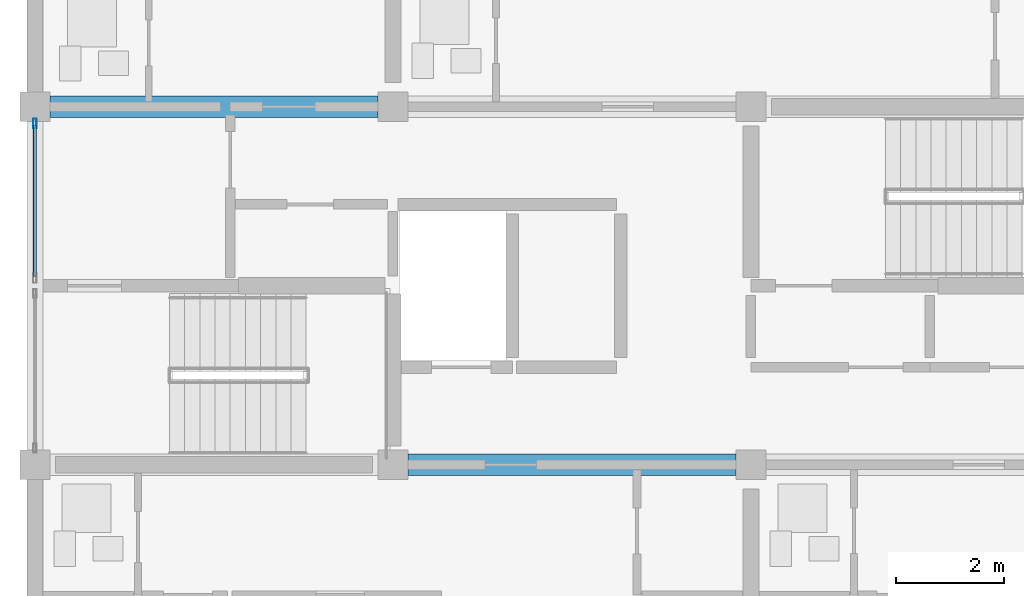
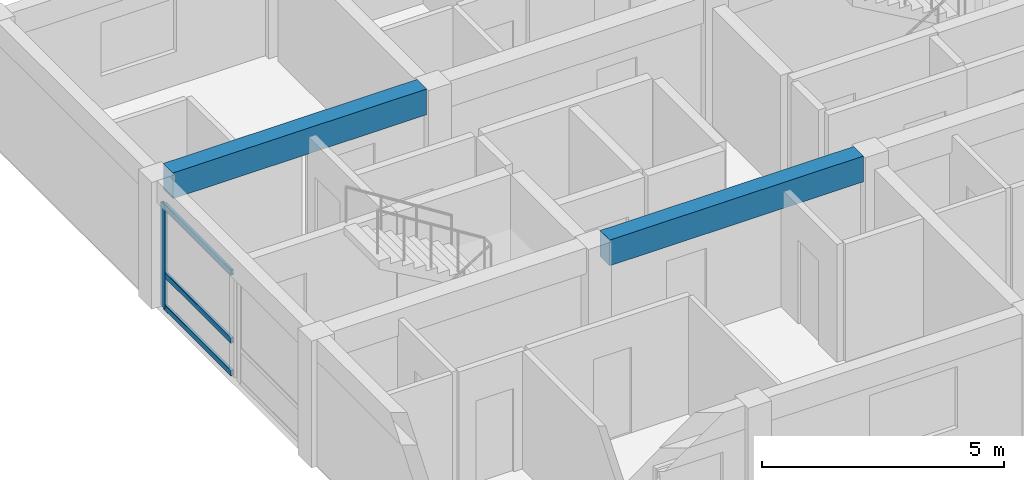
# One storey, part 15 of 49: 4 members, 2 beams, 1 element without a shape of its own.
"""IFC4 building model written with IfcOpenShell, lengths in metres."""

from ifc_helpers import new_model, si_unit, direction, frame, origin, origin_2d, place, context, subcontext, project, spatial, rectangle, hollow_rectangle, extrude, material, material_profile, profile_set, type_object, element, aggregate, save


model = new_model("IFC4")

# Units and contexts
model_context = context("Model", 3, precision=1e-05, world=origin(), true_north=direction((0.0, 1.0)))
body_context = subcontext(model_context, "Body", "Model", "MODEL_VIEW")
ifc_project = project(units=[si_unit("LENGTHUNIT", "METRE"), si_unit("AREAUNIT", "SQUARE_METRE"), si_unit("VOLUMEUNIT", "CUBIC_METRE"), si_unit("PLANEANGLEUNIT", "RADIAN"), si_unit("MASSUNIT", "GRAM", prefix="KILO")], contexts=[model_context])

# Site, building, storey
site_placement = place(None, origin())
site = spatial("IfcSite", under=ifc_project, at=site_placement, CompositionType="ELEMENT")
building_placement = place(site_placement, origin())
building = spatial("IfcBuilding", under=site, at=building_placement, Name="Kernevlak Ridge Housing Community", CompositionType="ELEMENT")
storey_placement = place(building_placement, frame((0.0, 0.0, 30.800048828125)))
storey = spatial("IfcBuildingStorey", under=building, at=storey_placement, Name="L09", CompositionType="ELEMENT", Elevation=30.800048828125)

# Beams
ifc_material_1 = material(Name="Concrete C35/45", Category="concrete")
ifc_material_profile_1 = material_profile(ifc_material_1, rectangle(XDim=0.39990234375, YDim=0.64990234375, at=origin_2d()), Name="RC 400x650")
ifc_profile_set_1 = profile_set([ifc_material_profile_1], Name="Concrete C35/45")
beam_type = type_object("IfcBeamType", Name="B-03", PredefinedType="T_BEAM", material=ifc_profile_set_1)
beam_1_placement = place(storey_placement, frame((22.47509765625, 82.60009765625, 2.875), z_axis=(1.0, 0.0, 0.0), x_axis=(0.0, 1.0, 0.0)))
element("IfcBeam", 1, at=beam_1_placement, inside=storey, type_object=beam_type, Name="Beam B-03 L09 297", PredefinedType="T_BEAM", context=body_context, shape_type="SweptSolid", body=[
    extrude(rectangle(XDim=0.39990234375, YDim=0.64990234375, at=origin_2d()), origin(), (0.0, 0.0, 1.0), 6.0498046875),
])
beam_2_placement = place(storey_placement, frame((15.875, 89.199951171875, 2.875), z_axis=(1.0, 0.0, 0.0), x_axis=(0.0, 1.0, 0.0)))
element("IfcBeam", 2, at=beam_2_placement, inside=storey, type_object=beam_type, Name="Beam B-03 L09 301", PredefinedType="T_BEAM", context=body_context, shape_type="SweptSolid", body=[
    extrude(rectangle(XDim=0.39990234375, YDim=0.64990234375, at=origin_2d()), origin(), (0.0, 0.0, 1.0), 6.050048828125),
])

# Curtain wall, members
ifc_material_2 = material(Name="Aluminium EN AW-6060 anodised and laminated glass", Category="aluminium")
curtain_wall_type = type_object("IfcCurtainWallType", Name="CW-07", PredefinedType="NOTDEFINED", material=ifc_material_2)
curtain_wall_placement = place(storey_placement, origin())
curtain_wall = element("IfcCurtainWall", 3, at=curtain_wall_placement, inside=storey, type_object=curtain_wall_type, Name="Curtain wall CW-07 CW-L09-029", PredefinedType="NOTDEFINED")
ifc_material_3 = material(Name="Aluminium EN AW-6060 anodised", Category="aluminium")
ifc_material_profile_2 = material_profile(ifc_material_3, hollow_rectangle(XDim=0.06494140625, YDim=0.179931640625, WallThickness=0.00439453125, InnerFilletRadius=0.001953125, OuterFilletRadius=0.00439453125, at=origin_2d()), Name="ALU 65x180x4.5")
ifc_profile_set_2 = profile_set([ifc_material_profile_2], Name="Aluminium EN AW-6060 anodised")
member_type_1 = type_object("IfcMemberType", Name="MU-03", PredefinedType="MULLION", material=ifc_profile_set_2)
member_1_placement = place(storey_placement, frame((15.60009765625, 88.892578125, 0.0), z_axis=(0.0, 0.0, 1.0), x_axis=(-1.0, 0.0, 0.0)))
member_1 = element("IfcMember", 4, at=member_1_placement, type_object=member_type_1, Name="CW-07 mullion 2", PredefinedType="MULLION", context=body_context, shape_type="SweptSolid", body=[
    extrude(hollow_rectangle(XDim=0.06494140625, YDim=0.179931640625, WallThickness=0.00439453125, InnerFilletRadius=0.001953125, OuterFilletRadius=0.00439453125, at=origin_2d()), origin(), (0.0, 0.0, 1.0), 2.599853515625),
])
ifc_material_profile_3 = material_profile(ifc_material_3, hollow_rectangle(XDim=0.06494140625, YDim=0.139892578125, WallThickness=0.00390625, InnerFilletRadius=0.001953125, OuterFilletRadius=0.00390625, at=origin_2d()), Name="ALU 65x140x4")
ifc_profile_set_3 = profile_set([ifc_material_profile_3], Name="Aluminium EN AW-6060 anodised")
member_type_2 = type_object("IfcMemberType", Name="TM-03", PredefinedType="USERDEFINED", material=ifc_profile_set_3)
member_2_placement = place(storey_placement, frame((15.60009765625, 86.074951171875, 0.032470703125), z_axis=(0.0, 1.0, 0.0), x_axis=(-1.0, 0.0, 0.0)))
member_2 = element("IfcMember", 5, at=member_2_placement, type_object=member_type_2, Name="CW-07 transom 1.1", ObjectType="TRANSOM", PredefinedType="USERDEFINED", context=body_context, shape_type="SweptSolid", body=[
    extrude(hollow_rectangle(XDim=0.06494140625, YDim=0.139892578125, WallThickness=0.00390625, InnerFilletRadius=0.001953125, OuterFilletRadius=0.00390625, at=origin_2d()), origin(), (0.0, 0.0, 1.0), 2.78515625),
])
member_3_placement = place(storey_placement, frame((15.60009765625, 86.074951171875, 0.849853515625), z_axis=(0.0, 1.0, 0.0), x_axis=(-1.0, 0.0, 0.0)))
member_3 = element("IfcMember", 6, at=member_3_placement, type_object=member_type_2, Name="CW-07 transom 1.2", ObjectType="TRANSOM", PredefinedType="USERDEFINED", context=body_context, shape_type="SweptSolid", body=[
    extrude(hollow_rectangle(XDim=0.06494140625, YDim=0.139892578125, WallThickness=0.00390625, InnerFilletRadius=0.001953125, OuterFilletRadius=0.00390625, at=origin_2d()), origin(), (0.0, 0.0, 1.0), 2.78515625),
])
member_4_placement = place(storey_placement, frame((15.60009765625, 86.074951171875, 2.5673828125), z_axis=(0.0, 1.0, 0.0), x_axis=(-1.0, 0.0, 0.0)))
member_4 = element("IfcMember", 7, at=member_4_placement, type_object=member_type_2, Name="CW-07 transom 1.3", ObjectType="TRANSOM", PredefinedType="USERDEFINED", context=body_context, shape_type="SweptSolid", body=[
    extrude(hollow_rectangle(XDim=0.06494140625, YDim=0.139892578125, WallThickness=0.00390625, InnerFilletRadius=0.001953125, OuterFilletRadius=0.00390625, at=origin_2d()), origin(), (0.0, 0.0, 1.0), 2.78515625),
])
aggregate(curtain_wall, [member_1, member_2, member_3, member_4])

save(model, "model.ifc")
